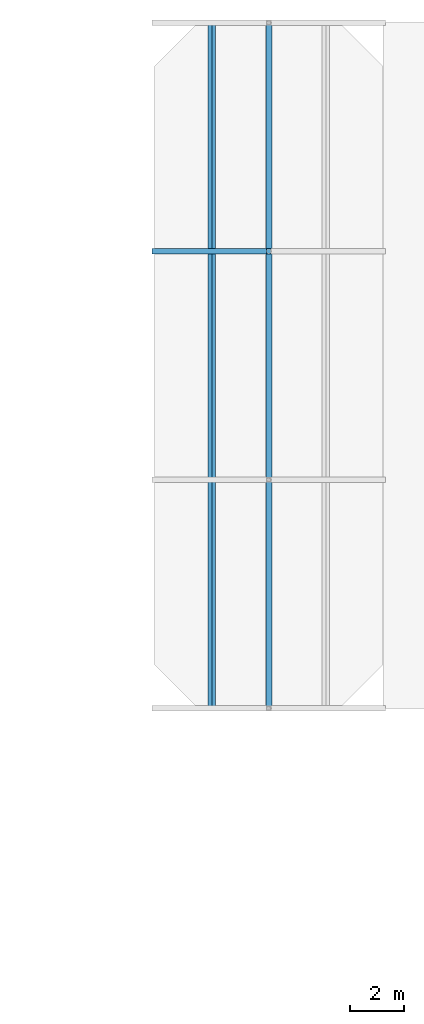
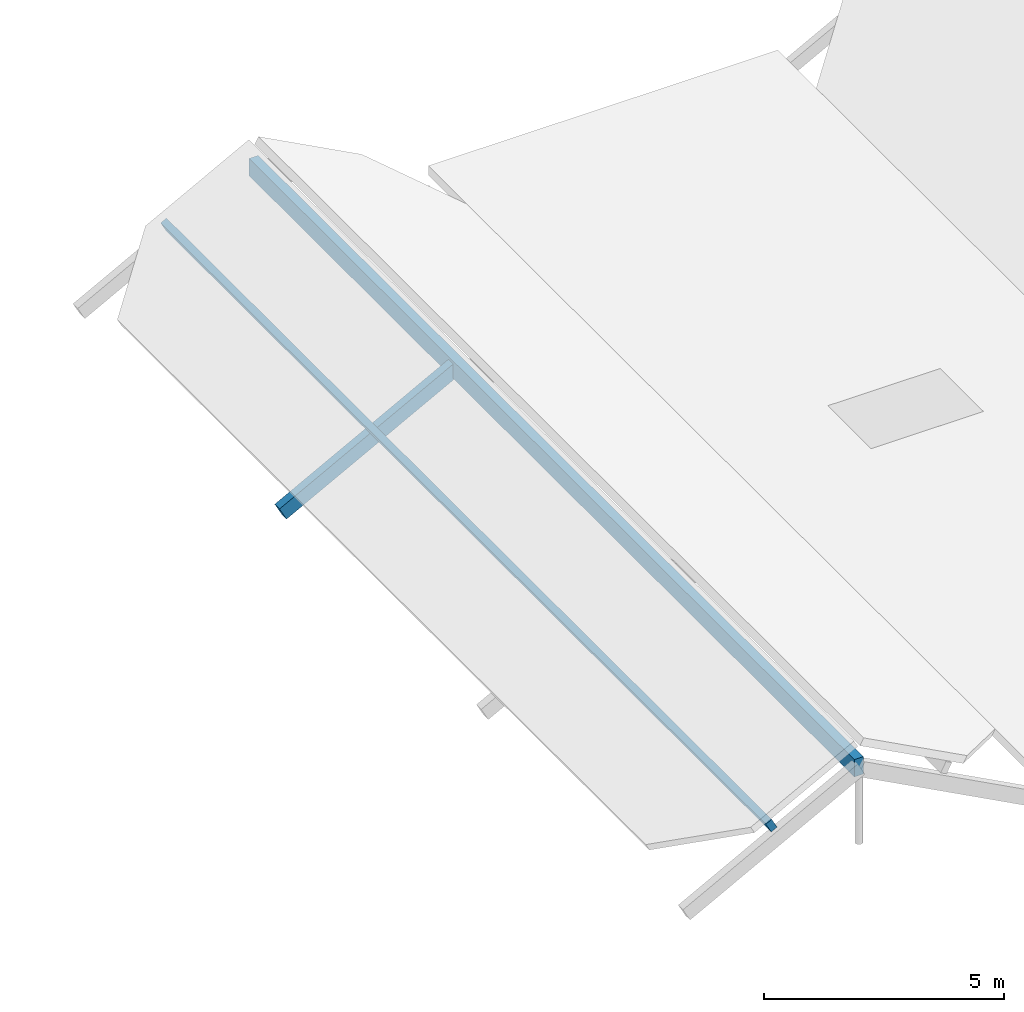
# One storey, part 47 of 82: 2 members, 1 beam.
"""IFC4 building model written with IfcOpenShell, lengths in metres."""

from ifc_helpers import new_model, si_unit, direction, frame, origin, origin_2d, place, context, subcontext, project, spatial, rectangle, extrude, material, material_profile, profile_set, type_object, element, save


model = new_model("IFC4")

# Units and contexts
model_context = context("Model", 3, precision=1e-05, world=origin(), true_north=direction((0.0, 1.0)))
body_context = subcontext(model_context, "Body", "Model", "MODEL_VIEW")
ifc_project = project(units=[si_unit("LENGTHUNIT", "METRE"), si_unit("AREAUNIT", "SQUARE_METRE"), si_unit("VOLUMEUNIT", "CUBIC_METRE"), si_unit("PLANEANGLEUNIT", "RADIAN"), si_unit("MASSUNIT", "GRAM", prefix="KILO")], contexts=[model_context])

# Site, building, storey
site_placement = place(None, origin())
site = spatial("IfcSite", under=ifc_project, at=site_placement, CompositionType="ELEMENT")
building_placement = place(site_placement, origin())
building = spatial("IfcBuilding", under=site, at=building_placement, Name="Bramfleet General Hospital", CompositionType="ELEMENT")
storey_placement = place(building_placement, frame((0.0, 0.0, 34.199951171875)))
storey = spatial("IfcBuildingStorey", under=building, at=storey_placement, Name="Roof", CompositionType="ELEMENT", Elevation=34.199951171875)

# Beam
ifc_material = material(Name="Structural timber GL28h", Category="wood")
ifc_material_profile_1 = material_profile(ifc_material, rectangle(XDim=0.219970703125, YDim=0.43994140625, at=origin_2d()), Name="GL28h 440x220")
ifc_profile_set_1 = profile_set([ifc_material_profile_1], Name="Structural timber GL28h")
beam_type = type_object("IfcBeamType", Name="BM-GL440", PredefinedType="BEAM", material=ifc_profile_set_1)
beam_placement = place(storey_placement, frame((71.39990234375, 92.39990234375, 1.476806640625), z_axis=(0.0, 1.0, 0.0), x_axis=(-1.0, 0.0, 0.0)))
element("IfcBeam", 1, at=beam_placement, inside=storey, type_object=beam_type, Name="Patient House PH-01 Glulam Ridge Beam", PredefinedType="BEAM", context=body_context, shape_type="SweptSolid", body=[
    extrude(rectangle(XDim=0.219970703125, YDim=0.43994140625, at=origin_2d()), origin(), (0.0, 0.0, 1.0), 25.2001953125),
])

# Members
ifc_material_profile_2 = material_profile(ifc_material, rectangle(XDim=0.159912109375, YDim=0.280029296875, at=origin_2d()), Name="GL28h 280x160")
ifc_profile_set_2 = profile_set([ifc_material_profile_2], Name="Structural timber GL28h")
member_type_1 = type_object("IfcMemberType", Name="MEM-PR-GL280", PredefinedType="PURLIN", material=ifc_profile_set_2)
member_1_placement = place(storey_placement, frame((69.300048828125, 92.39990234375, 0.71533203125), z_axis=(0.0, 1.0, 0.0), x_axis=(-0.882947592859, 0.0, -0.469471562786)))
element("IfcMember", 2, at=member_1_placement, inside=storey, type_object=member_type_1, Name="Patient House PH-01 West Glulam Purlin", PredefinedType="PURLIN", context=body_context, shape_type="SweptSolid", body=[
    extrude(rectangle(XDim=0.159912109375, YDim=0.280029296875, at=origin_2d()), origin(), (0.0, 0.0, 1.0), 25.2001953125),
])
ifc_material_profile_3 = material_profile(ifc_material, rectangle(XDim=0.199951171875, YDim=0.360107421875, at=origin_2d()), Name="GL28h 360x200")
ifc_profile_set_3 = profile_set([ifc_material_profile_3], Name="Structural timber GL28h")
member_type_2 = type_object("IfcMemberType", Name="MEM-RF-GL360", PredefinedType="RAFTER", material=ifc_profile_set_3)
member_2_placement = place(storey_placement, frame((67.199951171875, 109.199951171875, -0.75634765625), z_axis=(0.882947536541, 0.0, 0.469471668705), x_axis=(0.0, 1.0, 0.0)))
element("IfcMember", 3, at=member_2_placement, inside=storey, type_object=member_type_2, Name="Patient House PH-01 West Glulam Rafter 2", PredefinedType="RAFTER", context=body_context, shape_type="SweptSolid", body=[
    extrude(rectangle(XDim=0.199951171875, YDim=0.360107421875, at=origin_2d()), origin(), (0.0, 0.0, 1.0), 4.7568359375),
])

save(model, "model.ifc")
